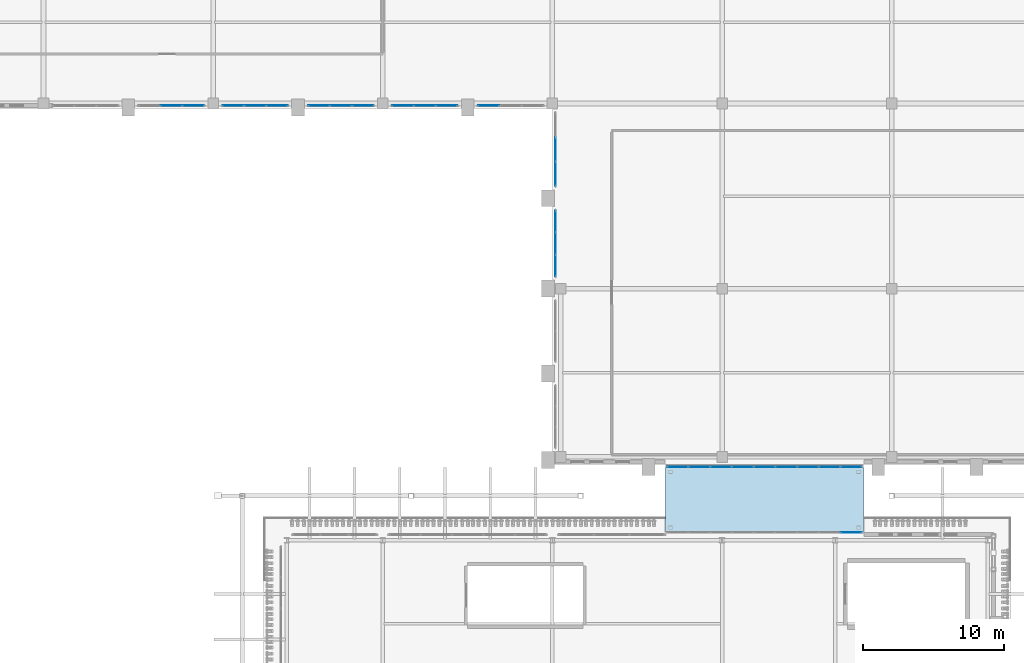
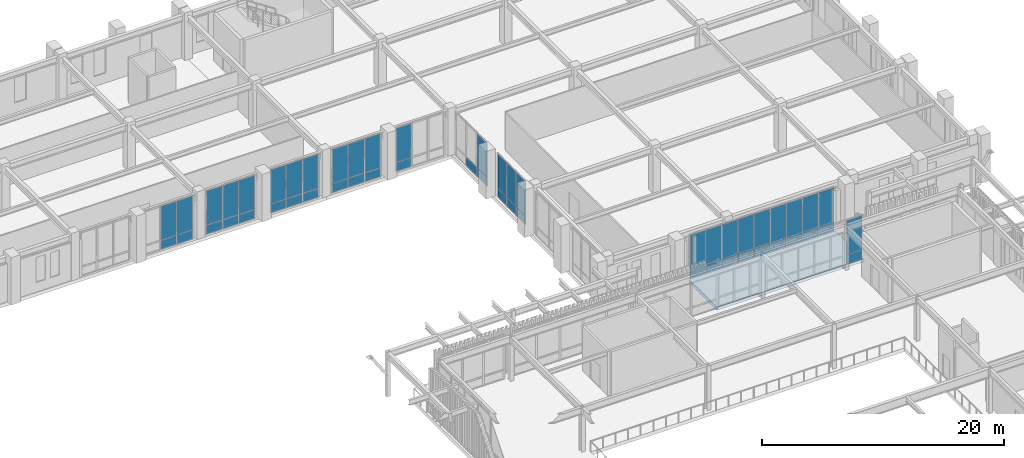
# One storey, part 78 of 126: 53 plates, 1 slab, 9 elements without a shape of their own.
"""IFC4 building model written with IfcOpenShell, lengths in metres."""

import ifcopenshell
import ifcopenshell.guid

model = None  # the IFC model being written
_history = None  # IfcOwnerHistory: only IFC2X3 demands one
_inside = {}  # id of a spatial element -> (the spatial element, [elements in it])
_under = {}  # id of a project, library or spatial element -> (it, [spatial elements below it])
_declared = {}  # id of a project -> (the project, [libraries it declares])
_typed = {}  # id of a type object -> (the type object, [elements of that type])
_made_of = {}  # id of a material, layer set ... -> (it, [elements and type objects made of it])


def new_model(schema):
    """Start an empty IFC model of exactly this schema.

    Asked for "IFC4X3", IfcOpenShell would pick the latest addendum, in which some entities
    have other attributes; the version numbers below select the first issue.
    IFC2X3 requires an IfcOwnerHistory on every rooted entity: one is made here for all.
    """
    global model, _history
    if schema == "IFC4X3":
        model = ifcopenshell.file(schema_version=(4, 3, 0, 0))
    else:
        model = ifcopenshell.file(schema=schema)
    _inside.clear()
    _under.clear()
    _declared.clear()
    _typed.clear()
    _made_of.clear()
    _history = None
    if model.schema == "IFC2X3":
        org = make("IfcOrganization", Name="unknown")
        user = make(
            "IfcPersonAndOrganization",
            ThePerson=make("IfcPerson", FamilyName="unknown"),
            TheOrganization=org,
        )
        app = make(
            "IfcApplication",
            ApplicationDeveloper=org,
            Version="unknown",
            ApplicationFullName="unknown",
            ApplicationIdentifier="unknown",
        )
        _history = make(
            "IfcOwnerHistory",
            OwningUser=user,
            OwningApplication=app,
            ChangeAction="ADDED",
            CreationDate=0,
        )
    return model


def make(cls, **values):
    """One entity of the class cls with the attributes given. An attribute that is None is left unset."""
    return model.create_entity(
        cls, **{name: value for name, value in values.items() if value is not None}
    )


def rooted(cls, **values):
    """An entity with a GlobalId (a new one), such as an element, a storey or a relation."""
    return make(cls, GlobalId=ifcopenshell.guid.new(), OwnerHistory=_history, **values)


def si_unit(unit_type, name, prefix=None):
    """IfcSIUnit, for example si_unit("LENGTHUNIT", "METRE", prefix="MILLI")."""
    return make("IfcSIUnit", UnitType=unit_type, Prefix=prefix, Name=name)


def derived_unit(unit_type, elements):
    """IfcDerivedUnit: a product of units, each with its exponent."""
    return make(
        "IfcDerivedUnit",
        Elements=[
            make("IfcDerivedUnitElement", Unit=unit, Exponent=power)
            for unit, power in elements
        ],
        UnitType=unit_type,
    )


def assignment(units):
    """IfcUnitAssignment: the units of a project."""
    return None if units is None else make("IfcUnitAssignment", Units=units)


def point(xyz):
    """IfcCartesianPoint."""
    return None if xyz is None else make("IfcCartesianPoint", Coordinates=xyz)


def direction(xyz):
    """IfcDirection."""
    return None if xyz is None else make("IfcDirection", DirectionRatios=xyz)


def frame(location, z_axis=None, x_axis=None):
    """IfcAxis2Placement3D, a coordinate frame: its origin and axes. An axis left out is left unset."""
    return make(
        "IfcAxis2Placement3D",
        Location=point(location),
        Axis=direction(z_axis),
        RefDirection=direction(x_axis),
    )


def frame_2d(location, x_axis=None):
    """IfcAxis2Placement2D, a coordinate frame in the plane: its origin and x axis."""
    return make(
        "IfcAxis2Placement2D", Location=point(location), RefDirection=direction(x_axis)
    )


def origin():
    """The frame at (0, 0, 0) with its axes left unset."""
    return frame((0.0, 0.0, 0.0))


def origin_2d():
    """The frame at (0, 0) in the plane with its x axis left unset."""
    return frame_2d((0.0, 0.0))


def place(relative_to, where):
    """IfcLocalPlacement: puts the frame where relative to a parent placement (None: the world)."""
    return make(
        "IfcLocalPlacement", PlacementRelTo=relative_to, RelativePlacement=where
    )


def context(
    kind, dimensions, precision=None, world=None, true_north=None, identifier=None
):
    """IfcGeometricRepresentationContext, for example the 3D "Model" context."""
    return make(
        "IfcGeometricRepresentationContext",
        ContextIdentifier=identifier,
        ContextType=kind,
        CoordinateSpaceDimension=dimensions,
        Precision=precision,
        WorldCoordinateSystem=world,
        TrueNorth=true_north,
    )


def subcontext(parent, identifier, kind, view, scale=None):
    """IfcGeometricRepresentationSubContext, for example "Body" below "Model"."""
    return make(
        "IfcGeometricRepresentationSubContext",
        ContextIdentifier=identifier,
        ContextType=kind,
        ParentContext=parent,
        TargetScale=scale,
        TargetView=view,
    )


def project(units=None, contexts=None):
    """IfcProject with its units and contexts."""
    return rooted(
        "IfcProject",
        Name="project",
        RepresentationContexts=contexts,
        UnitsInContext=assignment(units),
    )


def spatial(cls, under=None, at=None, **own):
    """A site, building, storey or space (cls), placed at a placement, below another one or the project."""
    s = rooted(cls, ObjectPlacement=at, **own)
    if under is not None:
        _under.setdefault(under.id(), (under, []))[1].append(s)
    return s


def polyline(points):
    """IfcPolyline through the points."""
    return make("IfcPolyline", Points=[point(p) for p in points])


def profile(cls, at=None, kind="AREA", **sizes):
    """A parametric profile (cls). Its sizes go by their IFC names, for example OverallWidth=200.0."""
    return make(cls, ProfileType=kind, Position=at, **sizes)


def rectangle(**sizes):
    """IfcRectangleProfileDef."""
    return profile("IfcRectangleProfileDef", **sizes)


def outline(outer, holes=None, kind="AREA"):
    """IfcArbitraryClosedProfileDef: a profile drawn as a closed curve; with holes, ...WithVoids."""
    if holes is None:
        return make("IfcArbitraryClosedProfileDef", ProfileType=kind, OuterCurve=outer)
    return make(
        "IfcArbitraryProfileDefWithVoids",
        ProfileType=kind,
        OuterCurve=outer,
        InnerCurves=holes,
    )


def extrude(swept, where, along, depth):
    """IfcExtrudedAreaSolid: the profile swept, set in the frame where, extruded along a direction by depth."""
    return make(
        "IfcExtrudedAreaSolid",
        SweptArea=swept,
        Position=where,
        ExtrudedDirection=direction(along),
        Depth=depth,
    )


def shape(context_of_items, identifier, shape_type, items):
    """IfcShapeRepresentation: the items that make up one representation, for example the "Body"."""
    return make(
        "IfcShapeRepresentation",
        ContextOfItems=context_of_items,
        RepresentationIdentifier=identifier,
        RepresentationType=shape_type,
        Items=items,
    )


def material(Name=None, Category=None):
    """IfcMaterial."""
    return make("IfcMaterial", Name=Name, Category=Category)


def layer(
    of_material, thickness, ventilated=None, Name=None, Category=None, Priority=None
):
    """IfcMaterialLayer: one layer of a wall or slab, of a material (None: an air gap)."""
    return make(
        "IfcMaterialLayer",
        Material=of_material,
        LayerThickness=thickness,
        IsVentilated=ventilated,
        Name=Name,
        Category=Category,
        Priority=Priority,
    )


def layer_set(layers, Name=None):
    """IfcMaterialLayerSet."""
    return make("IfcMaterialLayerSet", MaterialLayers=layers, LayerSetName=Name)


def made_of(thing, what):
    """Note that an element or type object is made of a material, layer set ...; save() writes the relation."""
    if what is not None:
        _made_of.setdefault(what.id(), (what, []))[1].append(thing)
    return thing


def type_object(cls, material=None, **own):
    """A type object (cls), such as IfcWallType, which elements share."""
    return made_of(rooted(cls, **own), material)


def element(
    cls,
    number,
    at=None,
    inside=None,
    cuts=None,
    type_object=None,
    material=None,
    context=None,
    identifier="Body",
    shape_type=None,
    held_by="IfcProductDefinitionShape",
    body=None,
    shapes=None,
    **own,
):
    """One element of the class cls, such as IfcWall. Its Tag is "e" and its number.

    at: its placement. inside: the storey or other place that contains it. cuts: it is an
    opening in that element (IfcRelVoidsElement). A single representation is given by context,
    identifier, shape_type and body (its items); several are given by shapes. held_by: the class
    of the entity that holds the representations. save() writes the other relations.
    """
    e = rooted(cls, Tag="e%d" % number, ObjectPlacement=at, **own)
    if body is not None:
        shapes = [shape(context, identifier, shape_type, body)]
    if shapes is not None:
        e.Representation = make(held_by, Representations=shapes)
    if inside is not None:
        _inside.setdefault(inside.id(), (inside, []))[1].append(e)
    if cuts is not None:
        rooted(
            "IfcRelVoidsElement", RelatingBuildingElement=cuts, RelatedOpeningElement=e
        )
    if type_object is not None:
        _typed.setdefault(type_object.id(), (type_object, []))[1].append(e)
    return made_of(e, material)


def aggregate(whole, parts):
    """IfcRelAggregates: a whole, such as a stair, and the parts it consists of."""
    return rooted("IfcRelAggregates", RelatingObject=whole, RelatedObjects=parts)


def save(model, path):
    """Write the relations noted so far, then the file.

    IfcRelAggregates (storeys below a building ...), IfcRelContainedInSpatialStructure (elements
    in a storey), IfcRelDefinesByType, IfcRelAssociatesMaterial and IfcRelDeclares: one each for
    every whole, place, type object, material and project.
    """
    for whole, parts in _under.values():
        aggregate(whole, parts)
    for where, things in _inside.values():
        rooted(
            "IfcRelContainedInSpatialStructure",
            RelatedElements=things,
            RelatingStructure=where,
        )
    for kind, things in _typed.values():
        rooted("IfcRelDefinesByType", RelatedObjects=things, RelatingType=kind)
    for what, things in _made_of.values():
        rooted("IfcRelAssociatesMaterial", RelatedObjects=things, RelatingMaterial=what)
    for by, libraries in _declared.values():
        rooted("IfcRelDeclares", RelatingContext=by, RelatedDefinitions=libraries)
    model.write(path)


model = new_model("IFC4")

# Units and contexts
model_context = context("Model", 3, precision=1e-05, world=origin(), true_north=direction((0.0, 1.0)))
body_context = subcontext(model_context, "Body", "Model", "MODEL_VIEW")
ifc_project = project(units=[si_unit("LENGTHUNIT", "METRE"), si_unit("AREAUNIT", "SQUARE_METRE"), si_unit("VOLUMEUNIT", "CUBIC_METRE"), si_unit("PLANEANGLEUNIT", "RADIAN"), si_unit("MASSUNIT", "GRAM", prefix="KILO"), derived_unit("THERMALTRANSMITTANCEUNIT", [(si_unit("MASSUNIT", "GRAM", prefix="KILO"), 1), (si_unit("TIMEUNIT", "SECOND"), -3), (si_unit("THERMODYNAMICTEMPERATUREUNIT", "KELVIN"), -1)])], contexts=[model_context])

# Site, building, storey
site_placement = place(None, origin())
site = spatial("IfcSite", under=ifc_project, at=site_placement, CompositionType="ELEMENT")
building_placement = place(site_placement, origin())
building = spatial("IfcBuilding", under=site, at=building_placement, Name="Valcora Ridge Arena", CompositionType="ELEMENT")
storey_placement = place(building_placement, frame((0.0, 0.0, 11.39990234375)))
storey = spatial("IfcBuildingStorey", under=building, at=storey_placement, Name="L02", CompositionType="ELEMENT", Elevation=11.39990234375)

# Curtain wall, plate
ifc_material_1 = material(Name="Anodised dark bronze architectural aluminium 6063-T6", Category="aluminium")
ifc_layer_1 = layer(ifc_material_1, 0.14990234375, Name="Anodised dark bronze architectural aluminium 6063-T6")
ifc_layer_set_1 = layer_set([ifc_layer_1], Name="Anodised dark bronze architectural aluminium 6063-T6")
curtain_wall_type_1 = type_object("IfcCurtainWallType", Name="TY-CURTAINWALL-CW-BRG-138X45", PredefinedType="NOTDEFINED", material=ifc_layer_set_1)
curtain_wall_1_placement = place(storey_placement, origin())
curtain_wall_1 = element("IfcCurtainWall", 1, at=curtain_wall_1_placement, inside=storey, type_object=curtain_wall_type_1, Name="CW-BRG-138X45 CW-0358", PredefinedType="NOTDEFINED")
ifc_material_2 = material(Name="Low-iron solar-control double glazing SHGC 0.28", Category="glass")
ifc_layer_2 = layer(ifc_material_2, 0.028076171875, Name="Low-iron solar-control double glazing SHGC 0.28")
ifc_layer_set_2 = layer_set([ifc_layer_2], Name="Low-iron solar-control double glazing SHGC 0.28")
plate_type_1 = type_object("IfcPlateType", Name="TY-PLT-CWP-1463X0875", PredefinedType="CURTAIN_PANEL", material=ifc_layer_set_2)
plate_1_placement = place(storey_placement, frame((177.138427734375, 78.35009765625, 0.050048828125), z_axis=(0.0, 0.0, 1.0), x_axis=(1.0, 0.0, 0.0)))
plate_1 = element("IfcPlate", 2, at=plate_1_placement, type_object=plate_type_1, Name="CW-0358/P08-00", PredefinedType="CURTAIN_PANEL", context=body_context, shape_type="SweptSolid", body=[
    extrude(rectangle(XDim=1.462890625, YDim=0.028076171875, at=origin_2d()), origin(), (0.0, 0.0, 1.0), 0.875),
])

# Curtain wall, plates
curtain_wall_2_placement = place(storey_placement, origin())
curtain_wall_2 = element("IfcCurtainWall", 3, at=curtain_wall_2_placement, inside=storey, type_object=curtain_wall_type_1, Name="CW-BRG-138X45 CW-0359", PredefinedType="NOTDEFINED")
plate_2_placement = place(storey_placement, frame((164.861572265625, 83.0, 0.050048828125), z_axis=(0.0, 0.0, 1.0), x_axis=(1.0, 0.0, 0.0)))
plate_2 = element("IfcPlate", 4, at=plate_2_placement, type_object=plate_type_1, Name="CW-0359/P00-00", PredefinedType="CURTAIN_PANEL", context=body_context, shape_type="SweptSolid", body=[
    extrude(rectangle(XDim=1.462890625, YDim=0.028076171875, at=origin_2d()), origin(), (0.0, 0.0, 1.0), 0.875),
])
plate_3_placement = place(storey_placement, frame((177.138427734375, 83.0, 0.050048828125), z_axis=(0.0, 0.0, 1.0), x_axis=(1.0, 0.0, 0.0)))
plate_3 = element("IfcPlate", 5, at=plate_3_placement, type_object=plate_type_1, Name="CW-0359/P08-00", PredefinedType="CURTAIN_PANEL", context=body_context, shape_type="SweptSolid", body=[
    extrude(rectangle(XDim=1.462890625, YDim=0.028076171875, at=origin_2d()), origin(), (0.0, 0.0, 1.0), 0.875),
])

# Plate
ifc_layer_3 = layer(ifc_material_2, 0.028076171875, Name="Low-iron solar-control double glazing SHGC 0.28")
ifc_layer_set_3 = layer_set([ifc_layer_3], Name="Low-iron solar-control double glazing SHGC 0.28")
plate_type_2 = type_object("IfcPlateType", Name="TY-PLT-CWP-1463X3455", PredefinedType="CURTAIN_PANEL", material=ifc_layer_set_3)
plate_4_placement = place(storey_placement, frame((177.138427734375, 78.35009765625, 0.97509765625), z_axis=(0.0, 0.0, 1.0), x_axis=(1.0, 0.0, 0.0)))
plate_4 = element("IfcPlate", 6, at=plate_4_placement, type_object=plate_type_2, Name="CW-0358/P08-01", PredefinedType="CURTAIN_PANEL", context=body_context, shape_type="SweptSolid", body=[
    extrude(rectangle(XDim=1.462890625, YDim=0.028076171875, at=origin_2d()), origin(), (0.0, 0.0, 1.0), 3.455078125),
])

aggregate(curtain_wall_1, [plate_1, plate_4])

plate_5_placement = place(storey_placement, frame((164.861572265625, 83.0, 0.97509765625), z_axis=(0.0, 0.0, 1.0), x_axis=(1.0, 0.0, 0.0)))
plate_5 = element("IfcPlate", 7, at=plate_5_placement, type_object=plate_type_2, Name="CW-0359/P00-01", PredefinedType="CURTAIN_PANEL", context=body_context, shape_type="SweptSolid", body=[
    extrude(rectangle(XDim=1.462890625, YDim=0.028076171875, at=origin_2d()), origin(), (0.0, 0.0, 1.0), 3.455078125),
])

plate_6_placement = place(storey_placement, frame((177.138427734375, 83.0, 0.97509765625), z_axis=(0.0, 0.0, 1.0), x_axis=(1.0, 0.0, 0.0)))
plate_6 = element("IfcPlate", 8, at=plate_6_placement, type_object=plate_type_2, Name="CW-0359/P08-01", PredefinedType="CURTAIN_PANEL", context=body_context, shape_type="SweptSolid", body=[
    extrude(rectangle(XDim=1.462890625, YDim=0.028076171875, at=origin_2d()), origin(), (0.0, 0.0, 1.0), 3.455078125),
])

ifc_layer_4 = layer(ifc_material_2, 0.028076171875, Name="Low-iron solar-control double glazing SHGC 0.28")
ifc_layer_set_4 = layer_set([ifc_layer_4], Name="Low-iron solar-control double glazing SHGC 0.28")
plate_type_3 = type_object("IfcPlateType", Name="TY-PLT-CWP-1487X0875", PredefinedType="CURTAIN_PANEL", material=ifc_layer_set_4)
plate_7_placement = place(storey_placement, frame((167.924560546875, 83.0, 0.050048828125), z_axis=(0.0, 0.0, 1.0), x_axis=(1.0, 0.0, 0.0)))
plate_7 = element("IfcPlate", 9, at=plate_7_placement, type_object=plate_type_3, Name="CW-0359/P02-00", PredefinedType="CURTAIN_PANEL", context=body_context, shape_type="SweptSolid", body=[
    extrude(rectangle(XDim=1.487060546875, YDim=0.028076171875, at=origin_2d()), origin(), (0.0, 0.0, 1.0), 0.875),
])

plate_8_placement = place(storey_placement, frame((174.075439453125, 83.0, 0.050048828125), z_axis=(0.0, 0.0, 1.0), x_axis=(1.0, 0.0, 0.0)))
plate_8 = element("IfcPlate", 10, at=plate_8_placement, type_object=plate_type_3, Name="CW-0359/P06-00", PredefinedType="CURTAIN_PANEL", context=body_context, shape_type="SweptSolid", body=[
    extrude(rectangle(XDim=1.487060546875, YDim=0.028076171875, at=origin_2d()), origin(), (0.0, 0.0, 1.0), 0.875),
])

ifc_layer_5 = layer(ifc_material_2, 0.028076171875, Name="Low-iron solar-control double glazing SHGC 0.28")
ifc_layer_set_5 = layer_set([ifc_layer_5], Name="Low-iron solar-control double glazing SHGC 0.28")
plate_type_4 = type_object("IfcPlateType", Name="TY-PLT-CWP-1487X3455", PredefinedType="CURTAIN_PANEL", material=ifc_layer_set_5)
plate_9_placement = place(storey_placement, frame((167.924560546875, 83.0, 0.97509765625), z_axis=(0.0, 0.0, 1.0), x_axis=(1.0, 0.0, 0.0)))
plate_9 = element("IfcPlate", 11, at=plate_9_placement, type_object=plate_type_4, Name="CW-0359/P02-01", PredefinedType="CURTAIN_PANEL", context=body_context, shape_type="SweptSolid", body=[
    extrude(rectangle(XDim=1.487060546875, YDim=0.028076171875, at=origin_2d()), origin(), (0.0, 0.0, 1.0), 3.455078125),
])

plate_10_placement = place(storey_placement, frame((174.075439453125, 83.0, 0.97509765625), z_axis=(0.0, 0.0, 1.0), x_axis=(1.0, 0.0, 0.0)))
plate_10 = element("IfcPlate", 12, at=plate_10_placement, type_object=plate_type_4, Name="CW-0359/P06-01", PredefinedType="CURTAIN_PANEL", context=body_context, shape_type="SweptSolid", body=[
    extrude(rectangle(XDim=1.487060546875, YDim=0.028076171875, at=origin_2d()), origin(), (0.0, 0.0, 1.0), 3.455078125),
])

ifc_layer_6 = layer(ifc_material_2, 0.028076171875, Name="Low-iron solar-control double glazing SHGC 0.28")
ifc_layer_set_6 = layer_set([ifc_layer_6], Name="Low-iron solar-control double glazing SHGC 0.28")
plate_type_5 = type_object("IfcPlateType", Name="TY-PLT-CWP-1488X0875", PredefinedType="CURTAIN_PANEL", material=ifc_layer_set_6)
plate_11_placement = place(storey_placement, frame((166.386962890625, 83.0, 0.050048828125), z_axis=(0.0, 0.0, 1.0), x_axis=(1.0, 0.0, 0.0)))
plate_11 = element("IfcPlate", 13, at=plate_11_placement, type_object=plate_type_5, Name="CW-0359/P01-00", PredefinedType="CURTAIN_PANEL", context=body_context, shape_type="SweptSolid", body=[
    extrude(rectangle(XDim=1.488037109375, YDim=0.028076171875, at=origin_2d()), origin(), (0.0, 0.0, 1.0), 0.875),
])

plate_12_placement = place(storey_placement, frame((169.4619140625, 83.0, 0.050048828125), z_axis=(0.0, 0.0, 1.0), x_axis=(1.0, 0.0, 0.0)))
plate_12 = element("IfcPlate", 14, at=plate_12_placement, type_object=plate_type_5, Name="CW-0359/P03-00", PredefinedType="CURTAIN_PANEL", context=body_context, shape_type="SweptSolid", body=[
    extrude(rectangle(XDim=1.488037109375, YDim=0.028076171875, at=origin_2d()), origin(), (0.0, 0.0, 1.0), 0.875),
])

plate_13_placement = place(storey_placement, frame((171.0, 83.0, 0.050048828125), z_axis=(0.0, 0.0, 1.0), x_axis=(1.0, 0.0, 0.0)))
plate_13 = element("IfcPlate", 15, at=plate_13_placement, type_object=plate_type_5, Name="CW-0359/P04-00", PredefinedType="CURTAIN_PANEL", context=body_context, shape_type="SweptSolid", body=[
    extrude(rectangle(XDim=1.488037109375, YDim=0.028076171875, at=origin_2d()), origin(), (0.0, 0.0, 1.0), 0.875),
])

plate_14_placement = place(storey_placement, frame((172.5380859375, 83.0, 0.050048828125), z_axis=(0.0, 0.0, 1.0), x_axis=(1.0, 0.0, 0.0)))
plate_14 = element("IfcPlate", 16, at=plate_14_placement, type_object=plate_type_5, Name="CW-0359/P05-00", PredefinedType="CURTAIN_PANEL", context=body_context, shape_type="SweptSolid", body=[
    extrude(rectangle(XDim=1.488037109375, YDim=0.028076171875, at=origin_2d()), origin(), (0.0, 0.0, 1.0), 0.875),
])

plate_15_placement = place(storey_placement, frame((175.613037109375, 83.0, 0.050048828125), z_axis=(0.0, 0.0, 1.0), x_axis=(1.0, 0.0, 0.0)))
plate_15 = element("IfcPlate", 17, at=plate_15_placement, type_object=plate_type_5, Name="CW-0359/P07-00", PredefinedType="CURTAIN_PANEL", context=body_context, shape_type="SweptSolid", body=[
    extrude(rectangle(XDim=1.488037109375, YDim=0.028076171875, at=origin_2d()), origin(), (0.0, 0.0, 1.0), 0.875),
])

ifc_layer_7 = layer(ifc_material_2, 0.028076171875, Name="Low-iron solar-control double glazing SHGC 0.28")
ifc_layer_set_7 = layer_set([ifc_layer_7], Name="Low-iron solar-control double glazing SHGC 0.28")
plate_type_6 = type_object("IfcPlateType", Name="TY-PLT-CWP-1488X3455", PredefinedType="CURTAIN_PANEL", material=ifc_layer_set_7)
plate_16_placement = place(storey_placement, frame((166.386962890625, 83.0, 0.97509765625), z_axis=(0.0, 0.0, 1.0), x_axis=(1.0, 0.0, 0.0)))
plate_16 = element("IfcPlate", 18, at=plate_16_placement, type_object=plate_type_6, Name="CW-0359/P01-01", PredefinedType="CURTAIN_PANEL", context=body_context, shape_type="SweptSolid", body=[
    extrude(rectangle(XDim=1.488037109375, YDim=0.028076171875, at=origin_2d()), origin(), (0.0, 0.0, 1.0), 3.455078125),
])

plate_17_placement = place(storey_placement, frame((169.4619140625, 83.0, 0.97509765625), z_axis=(0.0, 0.0, 1.0), x_axis=(1.0, 0.0, 0.0)))
plate_17 = element("IfcPlate", 19, at=plate_17_placement, type_object=plate_type_6, Name="CW-0359/P03-01", PredefinedType="CURTAIN_PANEL", context=body_context, shape_type="SweptSolid", body=[
    extrude(rectangle(XDim=1.488037109375, YDim=0.028076171875, at=origin_2d()), origin(), (0.0, 0.0, 1.0), 3.455078125),
])

plate_18_placement = place(storey_placement, frame((171.0, 83.0, 0.97509765625), z_axis=(0.0, 0.0, 1.0), x_axis=(1.0, 0.0, 0.0)))
plate_18 = element("IfcPlate", 20, at=plate_18_placement, type_object=plate_type_6, Name="CW-0359/P04-01", PredefinedType="CURTAIN_PANEL", context=body_context, shape_type="SweptSolid", body=[
    extrude(rectangle(XDim=1.488037109375, YDim=0.028076171875, at=origin_2d()), origin(), (0.0, 0.0, 1.0), 3.455078125),
])

plate_19_placement = place(storey_placement, frame((172.5380859375, 83.0, 0.97509765625), z_axis=(0.0, 0.0, 1.0), x_axis=(1.0, 0.0, 0.0)))
plate_19 = element("IfcPlate", 21, at=plate_19_placement, type_object=plate_type_6, Name="CW-0359/P05-01", PredefinedType="CURTAIN_PANEL", context=body_context, shape_type="SweptSolid", body=[
    extrude(rectangle(XDim=1.488037109375, YDim=0.028076171875, at=origin_2d()), origin(), (0.0, 0.0, 1.0), 3.455078125),
])

plate_20_placement = place(storey_placement, frame((175.613037109375, 83.0, 0.97509765625), z_axis=(0.0, 0.0, 1.0), x_axis=(1.0, 0.0, 0.0)))
plate_20 = element("IfcPlate", 22, at=plate_20_placement, type_object=plate_type_6, Name="CW-0359/P07-01", PredefinedType="CURTAIN_PANEL", context=body_context, shape_type="SweptSolid", body=[
    extrude(rectangle(XDim=1.488037109375, YDim=0.028076171875, at=origin_2d()), origin(), (0.0, 0.0, 1.0), 3.455078125),
])

aggregate(curtain_wall_2, [plate_2, plate_5, plate_11, plate_16, plate_7, plate_9, plate_12, plate_17, plate_13, plate_18, plate_14, plate_19, plate_8, plate_10, plate_15, plate_20, plate_3, plate_6])

# Curtain wall, plate
ifc_layer_8 = layer(ifc_material_1, 0.14990234375, Name="Anodised dark bronze architectural aluminium 6063-T6")
ifc_layer_set_8 = layer_set([ifc_layer_8], Name="Anodised dark bronze architectural aluminium 6063-T6")
curtain_wall_type_2 = type_object("IfcCurtainWallType", Name="TY-CURTAINWALL-CW-V5-MED-047X44", PredefinedType="NOTDEFINED", material=ifc_layer_set_8)
curtain_wall_3_placement = place(storey_placement, origin())
curtain_wall_3 = element("IfcCurtainWall", 23, at=curtain_wall_3_placement, inside=storey, type_object=curtain_wall_type_2, Name="CW-V5-MED-047X44 CW-0327", PredefinedType="NOTDEFINED")
ifc_layer_9 = layer(ifc_material_2, 0.028076171875, Name="Low-iron solar-control double glazing SHGC 0.28")
ifc_layer_set_9 = layer_set([ifc_layer_9], Name="Low-iron solar-control double glazing SHGC 0.28")
plate_type_7 = type_object("IfcPlateType", Name="TY-PLT-CWP-1490X0875", PredefinedType="CURTAIN_PANEL", material=ifc_layer_set_9)
plate_21_placement = place(storey_placement, frame((130.590087890625, 108.550048828125, 0.050048828125), z_axis=(0.0, 0.0, 1.0), x_axis=(1.0, 0.0, 0.0)))
plate_21 = element("IfcPlate", 24, at=plate_21_placement, type_object=plate_type_7, Name="CW-0327/P02-00", PredefinedType="CURTAIN_PANEL", context=body_context, shape_type="SweptSolid", body=[
    extrude(rectangle(XDim=1.489990234375, YDim=0.028076171875, at=origin_2d()), origin(), (0.0, 0.0, 1.0), 0.875),
])

# Curtain wall, plates
curtain_wall_4_placement = place(storey_placement, origin())
curtain_wall_4 = element("IfcCurtainWall", 25, at=curtain_wall_4_placement, inside=storey, type_object=curtain_wall_type_2, Name="CW-V5-MED-047X44 CW-0328", PredefinedType="NOTDEFINED")
plate_22_placement = place(storey_placement, frame((133.409912109375, 108.550048828125, 0.050048828125), z_axis=(0.0, 0.0, 1.0), x_axis=(1.0, 0.0, 0.0)))
plate_22 = element("IfcPlate", 26, at=plate_22_placement, type_object=plate_type_7, Name="CW-0328/P00-00", PredefinedType="CURTAIN_PANEL", context=body_context, shape_type="SweptSolid", body=[
    extrude(rectangle(XDim=1.489990234375, YDim=0.028076171875, at=origin_2d()), origin(), (0.0, 0.0, 1.0), 0.875),
])
plate_23_placement = place(storey_placement, frame((136.514892578125, 108.550048828125, 0.050048828125), z_axis=(0.0, 0.0, 1.0), x_axis=(1.0, 0.0, 0.0)))
plate_23 = element("IfcPlate", 27, at=plate_23_placement, type_object=plate_type_7, Name="CW-0328/P02-00", PredefinedType="CURTAIN_PANEL", context=body_context, shape_type="SweptSolid", body=[
    extrude(rectangle(XDim=1.489990234375, YDim=0.028076171875, at=origin_2d()), origin(), (0.0, 0.0, 1.0), 0.875),
])

curtain_wall_5_placement = place(storey_placement, origin())
curtain_wall_5 = element("IfcCurtainWall", 28, at=curtain_wall_5_placement, inside=storey, type_object=curtain_wall_type_2, Name="CW-V5-MED-047X44 CW-0329", PredefinedType="NOTDEFINED")
plate_24_placement = place(storey_placement, frame((139.485107421875, 108.550048828125, 0.050048828125), z_axis=(0.0, 0.0, 1.0), x_axis=(1.0, 0.0, 0.0)))
plate_24 = element("IfcPlate", 29, at=plate_24_placement, type_object=plate_type_7, Name="CW-0329/P00-00", PredefinedType="CURTAIN_PANEL", context=body_context, shape_type="SweptSolid", body=[
    extrude(rectangle(XDim=1.489990234375, YDim=0.028076171875, at=origin_2d()), origin(), (0.0, 0.0, 1.0), 0.875),
])
plate_25_placement = place(storey_placement, frame((142.590087890625, 108.550048828125, 0.050048828125), z_axis=(0.0, 0.0, 1.0), x_axis=(1.0, 0.0, 0.0)))
plate_25 = element("IfcPlate", 30, at=plate_25_placement, type_object=plate_type_7, Name="CW-0329/P02-00", PredefinedType="CURTAIN_PANEL", context=body_context, shape_type="SweptSolid", body=[
    extrude(rectangle(XDim=1.489990234375, YDim=0.028076171875, at=origin_2d()), origin(), (0.0, 0.0, 1.0), 0.875),
])

curtain_wall_6_placement = place(storey_placement, origin())
curtain_wall_6 = element("IfcCurtainWall", 31, at=curtain_wall_6_placement, inside=storey, type_object=curtain_wall_type_2, Name="CW-V5-MED-047X44 CW-0330", PredefinedType="NOTDEFINED")
plate_26_placement = place(storey_placement, frame((145.409912109375, 108.550048828125, 0.050048828125), z_axis=(0.0, 0.0, 1.0), x_axis=(1.0, 0.0, 0.0)))
plate_26 = element("IfcPlate", 32, at=plate_26_placement, type_object=plate_type_7, Name="CW-0330/P00-00", PredefinedType="CURTAIN_PANEL", context=body_context, shape_type="SweptSolid", body=[
    extrude(rectangle(XDim=1.489990234375, YDim=0.028076171875, at=origin_2d()), origin(), (0.0, 0.0, 1.0), 0.875),
])
plate_27_placement = place(storey_placement, frame((148.514892578125, 108.550048828125, 0.050048828125), z_axis=(0.0, 0.0, 1.0), x_axis=(1.0, 0.0, 0.0)))
plate_27 = element("IfcPlate", 33, at=plate_27_placement, type_object=plate_type_7, Name="CW-0330/P02-00", PredefinedType="CURTAIN_PANEL", context=body_context, shape_type="SweptSolid", body=[
    extrude(rectangle(XDim=1.489990234375, YDim=0.028076171875, at=origin_2d()), origin(), (0.0, 0.0, 1.0), 0.875),
])

# Curtain wall, plate
curtain_wall_7_placement = place(storey_placement, origin())
curtain_wall_7 = element("IfcCurtainWall", 34, at=curtain_wall_7_placement, inside=storey, type_object=curtain_wall_type_2, Name="CW-V5-MED-047X44 CW-0331", PredefinedType="NOTDEFINED")
plate_28_placement = place(storey_placement, frame((151.485107421875, 108.550048828125, 0.050048828125), z_axis=(0.0, 0.0, 1.0), x_axis=(1.0, 0.0, 0.0)))
plate_28 = element("IfcPlate", 35, at=plate_28_placement, type_object=plate_type_7, Name="CW-0331/P00-00", PredefinedType="CURTAIN_PANEL", context=body_context, shape_type="SweptSolid", body=[
    extrude(rectangle(XDim=1.489990234375, YDim=0.028076171875, at=origin_2d()), origin(), (0.0, 0.0, 1.0), 0.875),
])

# Plate
ifc_layer_10 = layer(ifc_material_2, 0.028076171875, Name="Low-iron solar-control double glazing SHGC 0.28")
ifc_layer_set_10 = layer_set([ifc_layer_10], Name="Low-iron solar-control double glazing SHGC 0.28")
plate_type_8 = type_object("IfcPlateType", Name="TY-PLT-CWP-1490X3425", PredefinedType="CURTAIN_PANEL", material=ifc_layer_set_10)
plate_29_placement = place(storey_placement, frame((130.590087890625, 108.550048828125, 0.97509765625), z_axis=(0.0, 0.0, 1.0), x_axis=(1.0, 0.0, 0.0)))
plate_29 = element("IfcPlate", 36, at=plate_29_placement, type_object=plate_type_8, Name="CW-0327/P02-01", PredefinedType="CURTAIN_PANEL", context=body_context, shape_type="SweptSolid", body=[
    extrude(rectangle(XDim=1.489990234375, YDim=0.028076171875, at=origin_2d()), origin(), (0.0, 0.0, 1.0), 3.425048828125),
])

plate_30_placement = place(storey_placement, frame((133.409912109375, 108.550048828125, 0.97509765625), z_axis=(0.0, 0.0, 1.0), x_axis=(1.0, 0.0, 0.0)))
plate_30 = element("IfcPlate", 37, at=plate_30_placement, type_object=plate_type_8, Name="CW-0328/P00-01", PredefinedType="CURTAIN_PANEL", context=body_context, shape_type="SweptSolid", body=[
    extrude(rectangle(XDim=1.489990234375, YDim=0.028076171875, at=origin_2d()), origin(), (0.0, 0.0, 1.0), 3.425048828125),
])

plate_31_placement = place(storey_placement, frame((136.514892578125, 108.550048828125, 0.97509765625), z_axis=(0.0, 0.0, 1.0), x_axis=(1.0, 0.0, 0.0)))
plate_31 = element("IfcPlate", 38, at=plate_31_placement, type_object=plate_type_8, Name="CW-0328/P02-01", PredefinedType="CURTAIN_PANEL", context=body_context, shape_type="SweptSolid", body=[
    extrude(rectangle(XDim=1.489990234375, YDim=0.028076171875, at=origin_2d()), origin(), (0.0, 0.0, 1.0), 3.425048828125),
])

plate_32_placement = place(storey_placement, frame((139.485107421875, 108.550048828125, 0.97509765625), z_axis=(0.0, 0.0, 1.0), x_axis=(1.0, 0.0, 0.0)))
plate_32 = element("IfcPlate", 39, at=plate_32_placement, type_object=plate_type_8, Name="CW-0329/P00-01", PredefinedType="CURTAIN_PANEL", context=body_context, shape_type="SweptSolid", body=[
    extrude(rectangle(XDim=1.489990234375, YDim=0.028076171875, at=origin_2d()), origin(), (0.0, 0.0, 1.0), 3.425048828125),
])

plate_33_placement = place(storey_placement, frame((142.590087890625, 108.550048828125, 0.97509765625), z_axis=(0.0, 0.0, 1.0), x_axis=(1.0, 0.0, 0.0)))
plate_33 = element("IfcPlate", 40, at=plate_33_placement, type_object=plate_type_8, Name="CW-0329/P02-01", PredefinedType="CURTAIN_PANEL", context=body_context, shape_type="SweptSolid", body=[
    extrude(rectangle(XDim=1.489990234375, YDim=0.028076171875, at=origin_2d()), origin(), (0.0, 0.0, 1.0), 3.425048828125),
])

plate_34_placement = place(storey_placement, frame((145.409912109375, 108.550048828125, 0.97509765625), z_axis=(0.0, 0.0, 1.0), x_axis=(1.0, 0.0, 0.0)))
plate_34 = element("IfcPlate", 41, at=plate_34_placement, type_object=plate_type_8, Name="CW-0330/P00-01", PredefinedType="CURTAIN_PANEL", context=body_context, shape_type="SweptSolid", body=[
    extrude(rectangle(XDim=1.489990234375, YDim=0.028076171875, at=origin_2d()), origin(), (0.0, 0.0, 1.0), 3.425048828125),
])

plate_35_placement = place(storey_placement, frame((148.514892578125, 108.550048828125, 0.97509765625), z_axis=(0.0, 0.0, 1.0), x_axis=(1.0, 0.0, 0.0)))
plate_35 = element("IfcPlate", 42, at=plate_35_placement, type_object=plate_type_8, Name="CW-0330/P02-01", PredefinedType="CURTAIN_PANEL", context=body_context, shape_type="SweptSolid", body=[
    extrude(rectangle(XDim=1.489990234375, YDim=0.028076171875, at=origin_2d()), origin(), (0.0, 0.0, 1.0), 3.425048828125),
])

plate_36_placement = place(storey_placement, frame((151.485107421875, 108.550048828125, 0.97509765625), z_axis=(0.0, 0.0, 1.0), x_axis=(1.0, 0.0, 0.0)))
plate_36 = element("IfcPlate", 43, at=plate_36_placement, type_object=plate_type_8, Name="CW-0331/P00-01", PredefinedType="CURTAIN_PANEL", context=body_context, shape_type="SweptSolid", body=[
    extrude(rectangle(XDim=1.489990234375, YDim=0.028076171875, at=origin_2d()), origin(), (0.0, 0.0, 1.0), 3.425048828125),
])

aggregate(curtain_wall_7, [plate_28, plate_36])

# Curtain wall, plates
curtain_wall_8_placement = place(storey_placement, origin())
curtain_wall_8 = element("IfcCurtainWall", 44, at=curtain_wall_8_placement, inside=storey, type_object=curtain_wall_type_2, Name="CW-V5-MED-047X44 CW-0334", PredefinedType="NOTDEFINED")
ifc_layer_11 = layer(ifc_material_2, 0.028076171875, Name="Low-iron solar-control double glazing SHGC 0.28")
ifc_layer_set_11 = layer_set([ifc_layer_11], Name="Low-iron solar-control double glazing SHGC 0.28")
plate_type_9 = type_object("IfcPlateType", Name="TY-PLT-CWP-1498X0875", PredefinedType="CURTAIN_PANEL", material=ifc_layer_set_11)
plate_37_placement = place(storey_placement, frame((156.219970703125, 97.239013671875, 0.050048828125), z_axis=(0.0, 0.0, 1.0), x_axis=(0.0, 1.0, 0.0)))
plate_37 = element("IfcPlate", 45, at=plate_37_placement, type_object=plate_type_9, Name="CW-0334/P00-00", PredefinedType="CURTAIN_PANEL", context=body_context, shape_type="SweptSolid", body=[
    extrude(rectangle(XDim=1.498046875, YDim=0.028076171875, at=origin_2d()), origin(), (0.0, 0.0, 1.0), 0.875),
])
plate_38_placement = place(storey_placement, frame((156.219970703125, 100.361083984375, 0.050048828125), z_axis=(0.0, 0.0, 1.0), x_axis=(0.0, 1.0, 0.0)))
plate_38 = element("IfcPlate", 46, at=plate_38_placement, type_object=plate_type_9, Name="CW-0334/P02-00", PredefinedType="CURTAIN_PANEL", context=body_context, shape_type="SweptSolid", body=[
    extrude(rectangle(XDim=1.498046875, YDim=0.028076171875, at=origin_2d()), origin(), (0.0, 0.0, 1.0), 0.875),
])
ifc_layer_12 = layer(ifc_material_2, 0.028076171875, Name="Low-iron solar-control double glazing SHGC 0.28")
ifc_layer_set_12 = layer_set([ifc_layer_12], Name="Low-iron solar-control double glazing SHGC 0.28")
plate_type_10 = type_object("IfcPlateType", Name="TY-PLT-CWP-1498X3425", PredefinedType="CURTAIN_PANEL", material=ifc_layer_set_12)
plate_39_placement = place(storey_placement, frame((156.219970703125, 97.239013671875, 0.97509765625), z_axis=(0.0, 0.0, 1.0), x_axis=(0.0, 1.0, 0.0)))
plate_39 = element("IfcPlate", 47, at=plate_39_placement, type_object=plate_type_10, Name="CW-0334/P00-01", PredefinedType="CURTAIN_PANEL", context=body_context, shape_type="SweptSolid", body=[
    extrude(rectangle(XDim=1.498046875, YDim=0.028076171875, at=origin_2d()), origin(), (0.0, 0.0, 1.0), 3.425048828125),
])
plate_40_placement = place(storey_placement, frame((156.219970703125, 100.361083984375, 0.97509765625), z_axis=(0.0, 0.0, 1.0), x_axis=(0.0, 1.0, 0.0)))
plate_40 = element("IfcPlate", 48, at=plate_40_placement, type_object=plate_type_10, Name="CW-0334/P02-01", PredefinedType="CURTAIN_PANEL", context=body_context, shape_type="SweptSolid", body=[
    extrude(rectangle(XDim=1.498046875, YDim=0.028076171875, at=origin_2d()), origin(), (0.0, 0.0, 1.0), 3.425048828125),
])

# Plate
ifc_layer_13 = layer(ifc_material_2, 0.028076171875, Name="Low-iron solar-control double glazing SHGC 0.28")
ifc_layer_set_13 = layer_set([ifc_layer_13], Name="Low-iron solar-control double glazing SHGC 0.28")
plate_type_11 = type_object("IfcPlateType", Name="TY-PLT-CWP-1515X0875", PredefinedType="CURTAIN_PANEL", material=ifc_layer_set_13)
plate_41_placement = place(storey_placement, frame((129.03759765625, 108.550048828125, 0.050048828125), z_axis=(0.0, 0.0, 1.0), x_axis=(1.0, 0.0, 0.0)))
plate_41 = element("IfcPlate", 49, at=plate_41_placement, type_object=plate_type_11, Name="CW-0327/P01-00", PredefinedType="CURTAIN_PANEL", context=body_context, shape_type="SweptSolid", body=[
    extrude(rectangle(XDim=1.514892578125, YDim=0.028076171875, at=origin_2d()), origin(), (0.0, 0.0, 1.0), 0.875),
])

plate_42_placement = place(storey_placement, frame((134.96240234375, 108.550048828125, 0.050048828125), z_axis=(0.0, 0.0, 1.0), x_axis=(1.0, 0.0, 0.0)))
plate_42 = element("IfcPlate", 50, at=plate_42_placement, type_object=plate_type_11, Name="CW-0328/P01-00", PredefinedType="CURTAIN_PANEL", context=body_context, shape_type="SweptSolid", body=[
    extrude(rectangle(XDim=1.514892578125, YDim=0.028076171875, at=origin_2d()), origin(), (0.0, 0.0, 1.0), 0.875),
])

plate_43_placement = place(storey_placement, frame((141.03759765625, 108.550048828125, 0.050048828125), z_axis=(0.0, 0.0, 1.0), x_axis=(1.0, 0.0, 0.0)))
plate_43 = element("IfcPlate", 51, at=plate_43_placement, type_object=plate_type_11, Name="CW-0329/P01-00", PredefinedType="CURTAIN_PANEL", context=body_context, shape_type="SweptSolid", body=[
    extrude(rectangle(XDim=1.514892578125, YDim=0.028076171875, at=origin_2d()), origin(), (0.0, 0.0, 1.0), 0.875),
])

plate_44_placement = place(storey_placement, frame((146.96240234375, 108.550048828125, 0.050048828125), z_axis=(0.0, 0.0, 1.0), x_axis=(1.0, 0.0, 0.0)))
plate_44 = element("IfcPlate", 52, at=plate_44_placement, type_object=plate_type_11, Name="CW-0330/P01-00", PredefinedType="CURTAIN_PANEL", context=body_context, shape_type="SweptSolid", body=[
    extrude(rectangle(XDim=1.514892578125, YDim=0.028076171875, at=origin_2d()), origin(), (0.0, 0.0, 1.0), 0.875),
])

ifc_layer_14 = layer(ifc_material_2, 0.028076171875, Name="Low-iron solar-control double glazing SHGC 0.28")
ifc_layer_set_14 = layer_set([ifc_layer_14], Name="Low-iron solar-control double glazing SHGC 0.28")
plate_type_12 = type_object("IfcPlateType", Name="TY-PLT-CWP-1515X3425", PredefinedType="CURTAIN_PANEL", material=ifc_layer_set_14)
plate_45_placement = place(storey_placement, frame((129.03759765625, 108.550048828125, 0.97509765625), z_axis=(0.0, 0.0, 1.0), x_axis=(1.0, 0.0, 0.0)))
plate_45 = element("IfcPlate", 53, at=plate_45_placement, type_object=plate_type_12, Name="CW-0327/P01-01", PredefinedType="CURTAIN_PANEL", context=body_context, shape_type="SweptSolid", body=[
    extrude(rectangle(XDim=1.514892578125, YDim=0.028076171875, at=origin_2d()), origin(), (0.0, 0.0, 1.0), 3.425048828125),
])

aggregate(curtain_wall_3, [plate_41, plate_45, plate_21, plate_29])

plate_46_placement = place(storey_placement, frame((134.96240234375, 108.550048828125, 0.97509765625), z_axis=(0.0, 0.0, 1.0), x_axis=(1.0, 0.0, 0.0)))
plate_46 = element("IfcPlate", 54, at=plate_46_placement, type_object=plate_type_12, Name="CW-0328/P01-01", PredefinedType="CURTAIN_PANEL", context=body_context, shape_type="SweptSolid", body=[
    extrude(rectangle(XDim=1.514892578125, YDim=0.028076171875, at=origin_2d()), origin(), (0.0, 0.0, 1.0), 3.425048828125),
])

aggregate(curtain_wall_4, [plate_22, plate_30, plate_42, plate_46, plate_23, plate_31])

plate_47_placement = place(storey_placement, frame((141.03759765625, 108.550048828125, 0.97509765625), z_axis=(0.0, 0.0, 1.0), x_axis=(1.0, 0.0, 0.0)))
plate_47 = element("IfcPlate", 55, at=plate_47_placement, type_object=plate_type_12, Name="CW-0329/P01-01", PredefinedType="CURTAIN_PANEL", context=body_context, shape_type="SweptSolid", body=[
    extrude(rectangle(XDim=1.514892578125, YDim=0.028076171875, at=origin_2d()), origin(), (0.0, 0.0, 1.0), 3.425048828125),
])

aggregate(curtain_wall_5, [plate_24, plate_32, plate_43, plate_47, plate_25, plate_33])

plate_48_placement = place(storey_placement, frame((146.96240234375, 108.550048828125, 0.97509765625), z_axis=(0.0, 0.0, 1.0), x_axis=(1.0, 0.0, 0.0)))
plate_48 = element("IfcPlate", 56, at=plate_48_placement, type_object=plate_type_12, Name="CW-0330/P01-01", PredefinedType="CURTAIN_PANEL", context=body_context, shape_type="SweptSolid", body=[
    extrude(rectangle(XDim=1.514892578125, YDim=0.028076171875, at=origin_2d()), origin(), (0.0, 0.0, 1.0), 3.425048828125),
])

aggregate(curtain_wall_6, [plate_26, plate_34, plate_44, plate_48, plate_27, plate_35])

ifc_layer_15 = layer(ifc_material_2, 0.028076171875, Name="Low-iron solar-control double glazing SHGC 0.28")
ifc_layer_set_15 = layer_set([ifc_layer_15], Name="Low-iron solar-control double glazing SHGC 0.28")
plate_type_13 = type_object("IfcPlateType", Name="TY-PLT-CWP-1524X0875", PredefinedType="CURTAIN_PANEL", material=ifc_layer_set_15)
plate_49_placement = place(storey_placement, frame((156.219970703125, 98.800048828125, 0.050048828125), z_axis=(0.0, 0.0, 1.0), x_axis=(0.0, 1.0, 0.0)))
plate_49 = element("IfcPlate", 57, at=plate_49_placement, type_object=plate_type_13, Name="CW-0334/P01-00", PredefinedType="CURTAIN_PANEL", context=body_context, shape_type="SweptSolid", body=[
    extrude(rectangle(XDim=1.52392578125, YDim=0.028076171875, at=origin_2d()), origin(), (0.0, 0.0, 1.0), 0.875),
])

ifc_layer_16 = layer(ifc_material_2, 0.028076171875, Name="Low-iron solar-control double glazing SHGC 0.28")
ifc_layer_set_16 = layer_set([ifc_layer_16], Name="Low-iron solar-control double glazing SHGC 0.28")
plate_type_14 = type_object("IfcPlateType", Name="TY-PLT-CWP-1524X3425", PredefinedType="CURTAIN_PANEL", material=ifc_layer_set_16)
plate_50_placement = place(storey_placement, frame((156.219970703125, 98.800048828125, 0.97509765625), z_axis=(0.0, 0.0, 1.0), x_axis=(0.0, 1.0, 0.0)))
plate_50 = element("IfcPlate", 58, at=plate_50_placement, type_object=plate_type_14, Name="CW-0334/P01-01", PredefinedType="CURTAIN_PANEL", context=body_context, shape_type="SweptSolid", body=[
    extrude(rectangle(XDim=1.52392578125, YDim=0.028076171875, at=origin_2d()), origin(), (0.0, 0.0, 1.0), 3.425048828125),
])

aggregate(curtain_wall_8, [plate_37, plate_39, plate_49, plate_50, plate_38, plate_40])

# Curtain wall, plates
ifc_layer_17 = layer(ifc_material_1, 0.14990234375, Name="Anodised dark bronze architectural aluminium 6063-T6")
ifc_layer_set_17 = layer_set([ifc_layer_17], Name="Anodised dark bronze architectural aluminium 6063-T6")
curtain_wall_type_3 = type_object("IfcCurtainWallType", Name="TY-CURTAINWALL-CW-V5-MED-052X44", PredefinedType="NOTDEFINED", material=ifc_layer_set_17)
curtain_wall_9_placement = place(storey_placement, origin())
curtain_wall_9 = element("IfcCurtainWall", 59, at=curtain_wall_9_placement, inside=storey, type_object=curtain_wall_type_3, Name="CW-V5-MED-052X44 CW-0335", PredefinedType="NOTDEFINED")
ifc_layer_18 = layer(ifc_material_2, 0.028076171875, Name="Low-iron solar-control double glazing SHGC 0.28")
ifc_layer_set_18 = layer_set([ifc_layer_18], Name="Low-iron solar-control double glazing SHGC 0.28")
plate_type_15 = type_object("IfcPlateType", Name="TY-PLT-CWP-1673X0875", PredefinedType="CURTAIN_PANEL", material=ifc_layer_set_18)
plate_51_placement = place(storey_placement, frame((156.219970703125, 103.7265625, 0.050048828125), z_axis=(0.0, 0.0, 1.0), x_axis=(0.0, 1.0, 0.0)))
plate_51 = element("IfcPlate", 60, at=plate_51_placement, type_object=plate_type_15, Name="CW-0335/P00-00", PredefinedType="CURTAIN_PANEL", context=body_context, shape_type="SweptSolid", body=[
    extrude(rectangle(XDim=1.673095703125, YDim=0.028076171875, at=origin_2d()), origin(), (0.0, 0.0, 1.0), 0.875),
])
ifc_layer_19 = layer(ifc_material_2, 0.028076171875, Name="Low-iron solar-control double glazing SHGC 0.28")
ifc_layer_set_19 = layer_set([ifc_layer_19], Name="Low-iron solar-control double glazing SHGC 0.28")
plate_type_16 = type_object("IfcPlateType", Name="TY-PLT-CWP-1673X3425", PredefinedType="CURTAIN_PANEL", material=ifc_layer_set_19)
plate_52_placement = place(storey_placement, frame((156.219970703125, 103.7265625, 0.97509765625), z_axis=(0.0, 0.0, 1.0), x_axis=(0.0, 1.0, 0.0)))
plate_52 = element("IfcPlate", 61, at=plate_52_placement, type_object=plate_type_16, Name="CW-0335/P00-01", PredefinedType="CURTAIN_PANEL", context=body_context, shape_type="SweptSolid", body=[
    extrude(rectangle(XDim=1.673095703125, YDim=0.028076171875, at=origin_2d()), origin(), (0.0, 0.0, 1.0), 3.425048828125),
])
ifc_layer_20 = layer(ifc_material_2, 0.028076171875, Name="Low-iron solar-control double glazing SHGC 0.28")
ifc_layer_set_20 = layer_set([ifc_layer_20], Name="Low-iron solar-control double glazing SHGC 0.28")
plate_type_17 = type_object("IfcPlateType", Name="TY-PLT-CWP-1699X0875", PredefinedType="CURTAIN_PANEL", material=ifc_layer_set_20)
plate_53_placement = place(storey_placement, frame((156.219970703125, 105.46240234375, 0.050048828125), z_axis=(0.0, 0.0, 1.0), x_axis=(0.0, 1.0, 0.0)))
plate_53 = element("IfcPlate", 62, at=plate_53_placement, type_object=plate_type_17, Name="CW-0335/P01-00", PredefinedType="CURTAIN_PANEL", context=body_context, shape_type="SweptSolid", body=[
    extrude(rectangle(XDim=1.698974609375, YDim=0.028076171875, at=origin_2d()), origin(), (0.0, 0.0, 1.0), 0.875),
])
aggregate(curtain_wall_9, [plate_51, plate_52, plate_53])

# Slab
ifc_material_3 = material(Name="Concrete C40/50", Category="concrete")
ifc_layer_21 = layer(ifc_material_3, 0.320068359375, Name="Concrete C40/50")
ifc_layer_set_21 = layer_set([ifc_layer_21], Name="Concrete C40/50")
slab_type = type_object("IfcSlabType", Name="TY-SLAB-SL-BRG-SJ5-L02", PredefinedType="FLOOR", material=ifc_layer_set_21)
slab_placement = place(storey_placement, frame((0.0, 0.0, -0.31982421875)))
element("IfcSlab", 63, at=slab_placement, inside=storey, type_object=slab_type, Name="SL-BRG-SJ5-L02 SLB-0087", PredefinedType="FLOOR", context=body_context, shape_type="SweptSolid", body=[
    extrude(outline(polyline([(178.0, 78.35009765625), (178.0, 83.0), (164.0, 83.0), (164.0, 78.35009765625), (178.0, 78.35009765625)])), origin(), (0.0, 0.0, 1.0), 0.31982421875),
])

save(model, "model.ifc")
